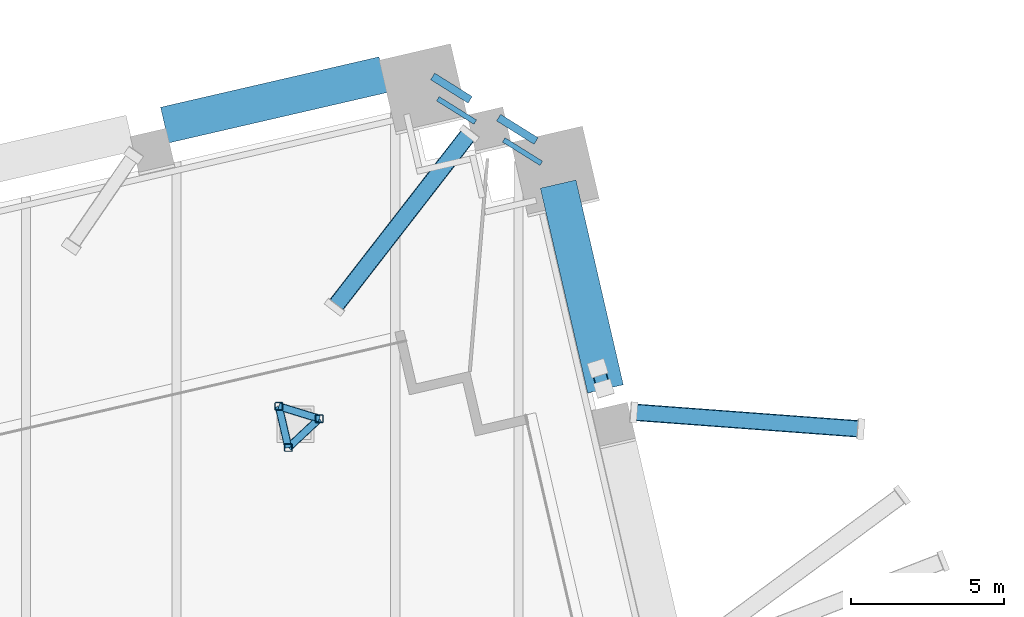
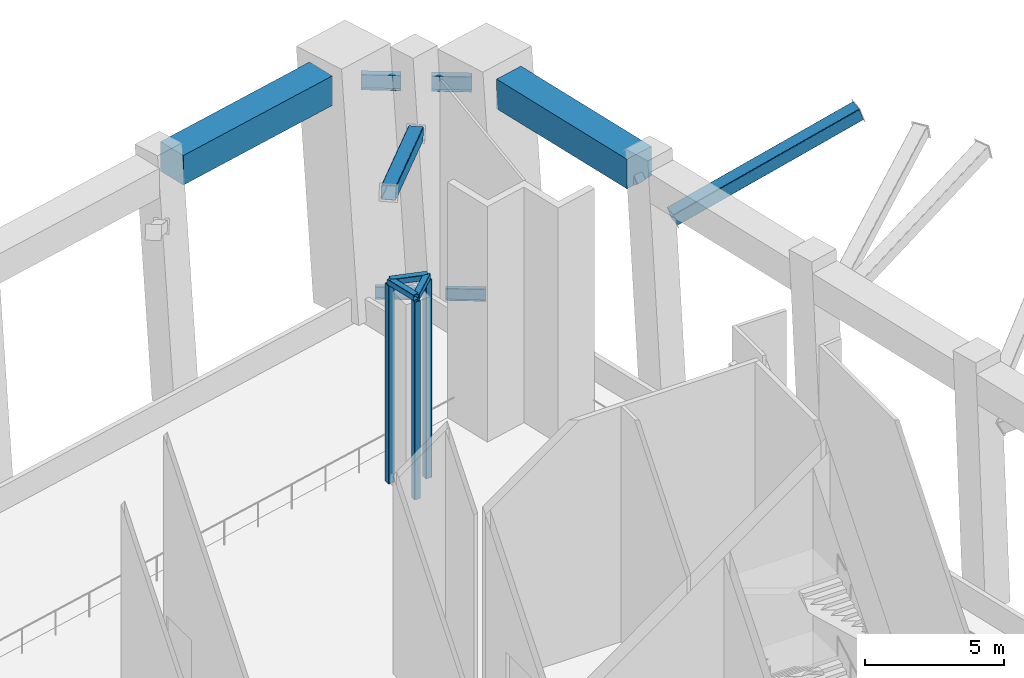
# One storey, part 14 of 25: 9 members, 6 beams.
"""IFC4 building model written with IfcOpenShell, lengths in metres."""

from ifc_helpers import new_model, si_unit, direction, frame, origin, origin_2d, place, context, subcontext, project, spatial, rectangle, hollow_rectangle, i_section, extrude, material, material_profile, profile_set, type_object, element, save


model = new_model("IFC4")

# Units and contexts
model_context = context("Model", 3, precision=1e-05, world=origin(), true_north=direction((0.0, 1.0)))
body_context = subcontext(model_context, "Body", "Model", "MODEL_VIEW")
ifc_project = project(units=[si_unit("LENGTHUNIT", "METRE"), si_unit("AREAUNIT", "SQUARE_METRE"), si_unit("VOLUMEUNIT", "CUBIC_METRE"), si_unit("PLANEANGLEUNIT", "RADIAN"), si_unit("MASSUNIT", "GRAM", prefix="KILO")], contexts=[model_context])

# Site, building, storey
site_placement = place(None, origin())
site = spatial("IfcSite", under=ifc_project, at=site_placement, CompositionType="ELEMENT")
building_placement = place(site_placement, origin())
building = spatial("IfcBuilding", under=site, at=building_placement, Name="Ogive Exchange Tower", CompositionType="ELEMENT")
storey_placement = place(building_placement, frame((0.0, 0.0, 226.199951171875)))
storey = spatial("IfcBuildingStorey", under=building, at=storey_placement, Name="L50", CompositionType="ELEMENT", Elevation=226.199951171875)

# Beams
ifc_material_1 = material(Name="Steel ASTM A992 Gr50", Category="steel")
ifc_material_profile_1 = material_profile(ifc_material_1, i_section(OverallWidth=0.1669921875, OverallDepth=0.535888671875, WebThickness=0.01025390625, FlangeThickness=0.0166015625, at=origin_2d()), Name="W530x85")
ifc_profile_set_1 = profile_set([ifc_material_profile_1], Name="Steel ASTM A992 Gr50")
beam_type_1 = type_object("IfcBeamType", Name="Belt truss bottom chord W530x85", PredefinedType="BEAM", material=ifc_profile_set_1)
for number, where, z_axis, x_axis, name in (
    (1, (22.3486328125, 51.336669921875, 0.400146484375), (-0.848074041941, 0.529877740036, 0.0), (-0.529877740036, -0.848074041941, 0.0), "Belt truss bottom chord 16"),
    (2, (20.189697265625, 52.685546875, 0.400146484375), (-0.848026711821, 0.529953484787, 0.0), (-0.529953484787, -0.848026711821, 0.0), "Belt truss bottom chord 17"),
):
    element("IfcBeam", number, at=place(storey_placement, frame(where, z_axis=z_axis, x_axis=x_axis)), inside=storey, type_object=beam_type_1, Name=name, PredefinedType="BEAM", context=body_context, shape_type="SweptSolid", body=[
        extrude(i_section(OverallWidth=0.1669921875, OverallDepth=0.535888671875, WebThickness=0.01025390625, FlangeThickness=0.0166015625, at=origin_2d()), origin(), (0.0, 0.0, 1.0), 1.448486328125),
    ])
ifc_material_profile_2 = material_profile(ifc_material_1, i_section(OverallWidth=0.25390625, OverallDepth=0.677978515625, WebThickness=0.01171875, FlangeThickness=0.016357421875, at=origin_2d()), Name="W690x125")
ifc_profile_set_2 = profile_set([ifc_material_profile_2], Name="Steel ASTM A992 Gr50")
beam_type_2 = type_object("IfcBeamType", Name="Belt truss top chord W690x125", PredefinedType="BEAM", material=ifc_profile_set_2)
for number, where, z_axis, x_axis, name in (
    (3, (22.18017578125, 52.06640625, 9.31103515625), (-0.848074041941, 0.529877740036, 0.0), (-0.529877740036, -0.848074041941, 0.0), "Belt truss top chord 16"),
    (4, (20.021484375, 53.415283203125, 9.31103515625), (-0.848074041941, 0.529877740036, 0.0), (-0.529877740036, -0.848074041941, 0.0), "Belt truss top chord 17"),
):
    element("IfcBeam", number, at=place(storey_placement, frame(where, z_axis=z_axis, x_axis=x_axis)), inside=storey, type_object=beam_type_2, Name=name, PredefinedType="BEAM", context=body_context, shape_type="SweptSolid", body=[
        extrude(i_section(OverallWidth=0.25390625, OverallDepth=0.677978515625, WebThickness=0.01171875, FlangeThickness=0.016357421875, at=origin_2d()), origin(), (0.0, 0.0, 1.0), 1.448486328125),
    ])

# Members
ifc_material_2 = material(Name="Steel ASTM A1085 Gr A", Category="steel")
ifc_material_profile_3 = material_profile(ifc_material_2, hollow_rectangle(XDim=0.45703125, YDim=0.45703125, WallThickness=0.01904296875, InnerFilletRadius=0.01904296875, OuterFilletRadius=0.0380859375, at=origin_2d()), Name="HSS457.2x457.2x19")
ifc_profile_set_3 = profile_set([ifc_material_profile_3], Name="Steel ASTM A1085 Gr A")
member_type_1 = type_object("IfcMemberType", Name="Block-change strut HSS457.2x457.2x19", PredefinedType="STRUT", material=ifc_profile_set_3)
member_1_placement = place(storey_placement, frame((24.401123046875, 43.96337890625, 9.0556640625), z_axis=(-0.148942482387, 0.484835968307, 0.861829577571), x_axis=(-0.955910706358, -0.293657490063, 0.0)))
element("IfcMember", 5, at=member_1_placement, inside=storey, type_object=member_type_1, Name="Block-change strut 17", PredefinedType="STRUT", context=body_context, shape_type="SweptSolid", body=[
    extrude(hollow_rectangle(XDim=0.45703125, YDim=0.45703125, WallThickness=0.01904296875, InnerFilletRadius=0.01904296875, OuterFilletRadius=0.0380859375, at=origin_2d()), origin(), (0.0, 0.0, 1.0), 1.342529296875),
])
ifc_material_profile_4 = material_profile(ifc_material_2, hollow_rectangle(XDim=0.55908203125, YDim=0.55908203125, WallThickness=0.022216796875, InnerFilletRadius=0.022216796875, OuterFilletRadius=0.04443359375, at=origin_2d()), Name="HSS558.8x558.8x22.2")
ifc_profile_set_4 = profile_set([ifc_material_profile_4], Name="Steel ASTM A1085 Gr A")
member_type_2 = type_object("IfcMemberType", Name="Block-change strut HSS558.8x558.8x22.2", PredefinedType="STRUT", material=ifc_profile_set_4)
member_2_placement = place(storey_placement, frame((25.3876953125, 43.186279296875, 7.691650390625), z_axis=(0.949556470465, -0.070368805261, 0.305598986656), x_axis=(0.073904367143, 0.997265333057, 0.0)))
element("IfcMember", 6, at=member_2_placement, inside=storey, type_object=member_type_2, Name="Block-change strut 16", PredefinedType="STRUT", context=body_context, shape_type="SweptSolid", body=[
    extrude(hollow_rectangle(XDim=0.55908203125, YDim=0.55908203125, WallThickness=0.022216796875, InnerFilletRadius=0.022216796875, OuterFilletRadius=0.04443359375, at=origin_2d()), origin(), (0.0, 0.0, 1.0), 7.802734375),
])
member_3_placement = place(storey_placement, frame((19.9853515625, 52.3056640625, 7.692626953125), z_axis=(-0.581538949694, -0.749907214656, 0.315359508174), x_axis=(0.790230898865, -0.612809208873, 0.0)))
element("IfcMember", 7, at=member_3_placement, inside=storey, type_object=member_type_2, Name="Block-change strut 18", PredefinedType="STRUT", context=body_context, shape_type="SweptSolid", body=[
    extrude(hollow_rectangle(XDim=0.55908203125, YDim=0.55908203125, WallThickness=0.022216796875, InnerFilletRadius=0.022216796875, OuterFilletRadius=0.04443359375, at=origin_2d()), origin(), (0.0, 0.0, 1.0), 7.560546875),
])

# Beams
ifc_material_3 = material(Name="Precast concrete C70/85 (limestone faced)", Category="masonry")
ifc_material_profile_5 = material_profile(ifc_material_3, rectangle(XDim=1.199951171875, YDim=1.300048828125, at=origin_2d()), Name="1200 x 1300")
ifc_profile_set_5 = profile_set([ifc_material_profile_5], Name="Precast concrete C70/85 (limestone faced)")
beam_type_3 = type_object("IfcBeamType", Name="Precast portal header beam 1200 x 1300 C70/85", PredefinedType="BEAM", material=ifc_profile_set_5)
beam_1_placement = place(storey_placement, frame((24.451904296875, 43.9501953125, 9.699951171875), z_axis=(-0.224955341168, 0.974369075084, 0.0), x_axis=(-0.974369075084, -0.224955341168, 0.0)))
element("IfcBeam", 8, at=beam_1_placement, inside=storey, type_object=beam_type_3, Name="Slot header beam 15", PredefinedType="BEAM", context=body_context, shape_type="SweptSolid", body=[
    extrude(rectangle(XDim=1.199951171875, YDim=1.300048828125, at=origin_2d()), origin(), (0.0, 0.0, 1.0), 6.884033203125),
])
beam_2_placement = place(storey_placement, frame((17.170654296875, 54.239990234375, 9.699951171875), z_axis=(-0.974370449655, -0.224949387281, 0.0), x_axis=(0.224949387281, -0.974370449655, 0.0)))
element("IfcBeam", 9, at=beam_2_placement, inside=storey, type_object=beam_type_3, Name="Slot header beam 18", PredefinedType="BEAM", context=body_context, shape_type="SweptSolid", body=[
    extrude(rectangle(XDim=1.199951171875, YDim=1.300048828125, at=origin_2d()), origin(), (0.0, 0.0, 1.0), 7.340087890625),
])

# Members
ifc_material_profile_6 = material_profile(ifc_material_2, hollow_rectangle(XDim=0.25390625, YDim=0.25390625, WallThickness=0.0126953125, InnerFilletRadius=0.0126953125, OuterFilletRadius=0.025390625, at=origin_2d()), Name="HSS254x254x12.7")
ifc_profile_set_6 = profile_set([ifc_material_profile_6], Name="Steel ASTM A1085 Gr A")
member_type_3 = type_object("IfcMemberType", Name="Turbine cage mast HSS254x254x12.7", PredefinedType="POST", material=ifc_profile_set_6)
for number, where, z_axis, x_axis, name in (
    (10, (14.068115234375, 42.028564453125, 0.0), (0.0, 0.0, 1.0), (1.0, 0.0, 0.0), "Turbine cage mast 06.1"),
    (11, (15.08154296875, 42.9736328125, 0.0), (0.0, 0.0, 1.0), (1.0, 0.0, 0.0), "Turbine cage mast 06.2"),
    (12, (13.75634765625, 43.37890625, 0.0), (0.0, 0.0, 1.0), (1.0, 0.0, 0.0), "Turbine cage mast 06.3"),
):
    element("IfcMember", number, at=place(storey_placement, frame(where, z_axis=z_axis, x_axis=x_axis)), inside=storey, type_object=member_type_3, Name=name, PredefinedType="POST", context=body_context, shape_type="SweptSolid", body=[
        extrude(hollow_rectangle(XDim=0.25390625, YDim=0.25390625, WallThickness=0.0126953125, InnerFilletRadius=0.0126953125, OuterFilletRadius=0.025390625, at=origin_2d()), origin(), (0.0, 0.0, 1.0), 8.696044921875),
    ])
ifc_material_profile_7 = material_profile(ifc_material_2, hollow_rectangle(XDim=0.25390625, YDim=0.25390625, WallThickness=0.0126953125, InnerFilletRadius=0.0126953125, OuterFilletRadius=0.025390625, at=origin_2d()), Name="HSS254x254x12.7")
ifc_profile_set_7 = profile_set([ifc_material_profile_7], Name="Steel ASTM A1085 Gr A")
member_type_4 = type_object("IfcMemberType", Name="Turbine cage ring member HSS254x254x12.7", PredefinedType="BRACE", material=ifc_profile_set_7)
for number, where, z_axis, x_axis, name in (
    (13, (14.068115234375, 42.028564453125, 8.822998046875), (0.731342288184, 0.682010599268, 0.0), (-0.682010599268, 0.731342288184, 0.0), "Turbine cage ring 06.1"),
    (14, (15.08154296875, 42.9736328125, 8.822998046875), (-0.956280426028, 0.292451272514, 0.0), (-0.292451272514, -0.956280426028, 0.0), "Turbine cage ring 06.2"),
):
    element("IfcMember", number, at=place(storey_placement, frame(where, z_axis=z_axis, x_axis=x_axis)), inside=storey, type_object=member_type_4, Name=name, PredefinedType="BRACE", context=body_context, shape_type="SweptSolid", body=[
        extrude(hollow_rectangle(XDim=0.25390625, YDim=0.25390625, WallThickness=0.0126953125, InnerFilletRadius=0.0126953125, OuterFilletRadius=0.025390625, at=origin_2d()), origin(), (0.0, 0.0, 1.0), 1.3857421875),
    ])
member_4_placement = place(storey_placement, frame((13.75634765625, 43.37890625, 8.822998046875), z_axis=(0.224962433185, -0.974367437703, 0.0), x_axis=(0.974367437703, 0.224962433185, 0.0)))
element("IfcMember", 15, at=member_4_placement, inside=storey, type_object=member_type_4, Name="Turbine cage ring 06.3", PredefinedType="BRACE", context=body_context, shape_type="SweptSolid", body=[
    extrude(hollow_rectangle(XDim=0.25390625, YDim=0.25390625, WallThickness=0.0126953125, InnerFilletRadius=0.0126953125, OuterFilletRadius=0.025390625, at=origin_2d()), origin(), (0.0, 0.0, 1.0), 1.385986328125),
])

save(model, "model.ifc")
